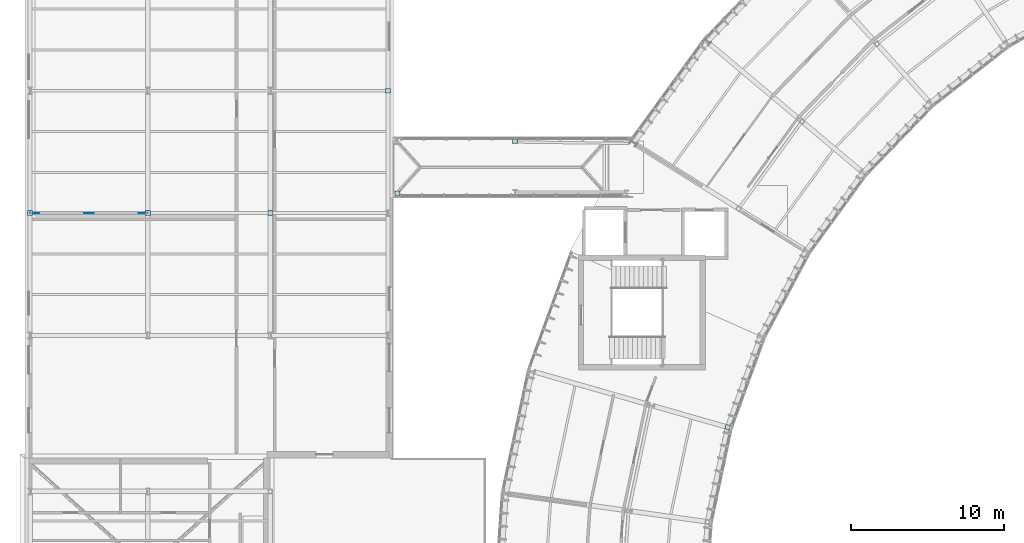
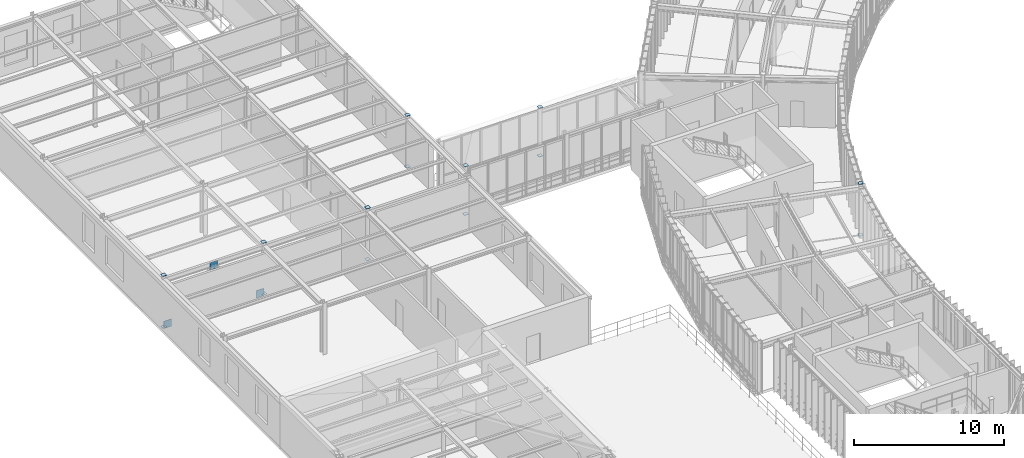
# One storey, part 32 of 52: 17 plates.
"""IFC4 building model written with IfcOpenShell, lengths in metres."""

import ifcopenshell
import ifcopenshell.guid

model = None  # the IFC model being written
_history = None  # IfcOwnerHistory: only IFC2X3 demands one
_inside = {}  # id of a spatial element -> (the spatial element, [elements in it])
_under = {}  # id of a project, library or spatial element -> (it, [spatial elements below it])
_declared = {}  # id of a project -> (the project, [libraries it declares])
_typed = {}  # id of a type object -> (the type object, [elements of that type])
_made_of = {}  # id of a material, layer set ... -> (it, [elements and type objects made of it])


def new_model(schema):
    """Start an empty IFC model of exactly this schema.

    Asked for "IFC4X3", IfcOpenShell would pick the latest addendum, in which some entities
    have other attributes; the version numbers below select the first issue.
    IFC2X3 requires an IfcOwnerHistory on every rooted entity: one is made here for all.
    """
    global model, _history
    if schema == "IFC4X3":
        model = ifcopenshell.file(schema_version=(4, 3, 0, 0))
    else:
        model = ifcopenshell.file(schema=schema)
    _inside.clear()
    _under.clear()
    _declared.clear()
    _typed.clear()
    _made_of.clear()
    _history = None
    if model.schema == "IFC2X3":
        org = make("IfcOrganization", Name="unknown")
        user = make(
            "IfcPersonAndOrganization",
            ThePerson=make("IfcPerson", FamilyName="unknown"),
            TheOrganization=org,
        )
        app = make(
            "IfcApplication",
            ApplicationDeveloper=org,
            Version="unknown",
            ApplicationFullName="unknown",
            ApplicationIdentifier="unknown",
        )
        _history = make(
            "IfcOwnerHistory",
            OwningUser=user,
            OwningApplication=app,
            ChangeAction="ADDED",
            CreationDate=0,
        )
    return model


def make(cls, **values):
    """One entity of the class cls with the attributes given. An attribute that is None is left unset."""
    return model.create_entity(
        cls, **{name: value for name, value in values.items() if value is not None}
    )


def rooted(cls, **values):
    """An entity with a GlobalId (a new one), such as an element, a storey or a relation."""
    return make(cls, GlobalId=ifcopenshell.guid.new(), OwnerHistory=_history, **values)


def si_unit(unit_type, name, prefix=None):
    """IfcSIUnit, for example si_unit("LENGTHUNIT", "METRE", prefix="MILLI")."""
    return make("IfcSIUnit", UnitType=unit_type, Prefix=prefix, Name=name)


def assignment(units):
    """IfcUnitAssignment: the units of a project."""
    return None if units is None else make("IfcUnitAssignment", Units=units)


def point(xyz):
    """IfcCartesianPoint."""
    return None if xyz is None else make("IfcCartesianPoint", Coordinates=xyz)


def direction(xyz):
    """IfcDirection."""
    return None if xyz is None else make("IfcDirection", DirectionRatios=xyz)


def frame(location, z_axis=None, x_axis=None):
    """IfcAxis2Placement3D, a coordinate frame: its origin and axes. An axis left out is left unset."""
    return make(
        "IfcAxis2Placement3D",
        Location=point(location),
        Axis=direction(z_axis),
        RefDirection=direction(x_axis),
    )


def frame_2d(location, x_axis=None):
    """IfcAxis2Placement2D, a coordinate frame in the plane: its origin and x axis."""
    return make(
        "IfcAxis2Placement2D", Location=point(location), RefDirection=direction(x_axis)
    )


def origin():
    """The frame at (0, 0, 0) with its axes left unset."""
    return frame((0.0, 0.0, 0.0))


def origin_2d():
    """The frame at (0, 0) in the plane with its x axis left unset."""
    return frame_2d((0.0, 0.0))


def place(relative_to, where):
    """IfcLocalPlacement: puts the frame where relative to a parent placement (None: the world)."""
    return make(
        "IfcLocalPlacement", PlacementRelTo=relative_to, RelativePlacement=where
    )


def context(
    kind, dimensions, precision=None, world=None, true_north=None, identifier=None
):
    """IfcGeometricRepresentationContext, for example the 3D "Model" context."""
    return make(
        "IfcGeometricRepresentationContext",
        ContextIdentifier=identifier,
        ContextType=kind,
        CoordinateSpaceDimension=dimensions,
        Precision=precision,
        WorldCoordinateSystem=world,
        TrueNorth=true_north,
    )


def subcontext(parent, identifier, kind, view, scale=None):
    """IfcGeometricRepresentationSubContext, for example "Body" below "Model"."""
    return make(
        "IfcGeometricRepresentationSubContext",
        ContextIdentifier=identifier,
        ContextType=kind,
        ParentContext=parent,
        TargetScale=scale,
        TargetView=view,
    )


def project(units=None, contexts=None):
    """IfcProject with its units and contexts."""
    return rooted(
        "IfcProject",
        Name="project",
        RepresentationContexts=contexts,
        UnitsInContext=assignment(units),
    )


def spatial(cls, under=None, at=None, **own):
    """A site, building, storey or space (cls), placed at a placement, below another one or the project."""
    s = rooted(cls, ObjectPlacement=at, **own)
    if under is not None:
        _under.setdefault(under.id(), (under, []))[1].append(s)
    return s


def profile(cls, at=None, kind="AREA", **sizes):
    """A parametric profile (cls). Its sizes go by their IFC names, for example OverallWidth=200.0."""
    return make(cls, ProfileType=kind, Position=at, **sizes)


def rectangle(**sizes):
    """IfcRectangleProfileDef."""
    return profile("IfcRectangleProfileDef", **sizes)


def extrude(swept, where, along, depth):
    """IfcExtrudedAreaSolid: the profile swept, set in the frame where, extruded along a direction by depth."""
    return make(
        "IfcExtrudedAreaSolid",
        SweptArea=swept,
        Position=where,
        ExtrudedDirection=direction(along),
        Depth=depth,
    )


def shape(context_of_items, identifier, shape_type, items):
    """IfcShapeRepresentation: the items that make up one representation, for example the "Body"."""
    return make(
        "IfcShapeRepresentation",
        ContextOfItems=context_of_items,
        RepresentationIdentifier=identifier,
        RepresentationType=shape_type,
        Items=items,
    )


def material(Name=None, Category=None):
    """IfcMaterial."""
    return make("IfcMaterial", Name=Name, Category=Category)


def layer(
    of_material, thickness, ventilated=None, Name=None, Category=None, Priority=None
):
    """IfcMaterialLayer: one layer of a wall or slab, of a material (None: an air gap)."""
    return make(
        "IfcMaterialLayer",
        Material=of_material,
        LayerThickness=thickness,
        IsVentilated=ventilated,
        Name=Name,
        Category=Category,
        Priority=Priority,
    )


def layer_set(layers, Name=None):
    """IfcMaterialLayerSet."""
    return make("IfcMaterialLayerSet", MaterialLayers=layers, LayerSetName=Name)


def made_of(thing, what):
    """Note that an element or type object is made of a material, layer set ...; save() writes the relation."""
    if what is not None:
        _made_of.setdefault(what.id(), (what, []))[1].append(thing)
    return thing


def type_object(cls, material=None, **own):
    """A type object (cls), such as IfcWallType, which elements share."""
    return made_of(rooted(cls, **own), material)


def element(
    cls,
    number,
    at=None,
    inside=None,
    cuts=None,
    type_object=None,
    material=None,
    context=None,
    identifier="Body",
    shape_type=None,
    held_by="IfcProductDefinitionShape",
    body=None,
    shapes=None,
    **own,
):
    """One element of the class cls, such as IfcWall. Its Tag is "e" and its number.

    at: its placement. inside: the storey or other place that contains it. cuts: it is an
    opening in that element (IfcRelVoidsElement). A single representation is given by context,
    identifier, shape_type and body (its items); several are given by shapes. held_by: the class
    of the entity that holds the representations. save() writes the other relations.
    """
    e = rooted(cls, Tag="e%d" % number, ObjectPlacement=at, **own)
    if body is not None:
        shapes = [shape(context, identifier, shape_type, body)]
    if shapes is not None:
        e.Representation = make(held_by, Representations=shapes)
    if inside is not None:
        _inside.setdefault(inside.id(), (inside, []))[1].append(e)
    if cuts is not None:
        rooted(
            "IfcRelVoidsElement", RelatingBuildingElement=cuts, RelatedOpeningElement=e
        )
    if type_object is not None:
        _typed.setdefault(type_object.id(), (type_object, []))[1].append(e)
    return made_of(e, material)


def aggregate(whole, parts):
    """IfcRelAggregates: a whole, such as a stair, and the parts it consists of."""
    return rooted("IfcRelAggregates", RelatingObject=whole, RelatedObjects=parts)


def save(model, path):
    """Write the relations noted so far, then the file.

    IfcRelAggregates (storeys below a building ...), IfcRelContainedInSpatialStructure (elements
    in a storey), IfcRelDefinesByType, IfcRelAssociatesMaterial and IfcRelDeclares: one each for
    every whole, place, type object, material and project.
    """
    for whole, parts in _under.values():
        aggregate(whole, parts)
    for where, things in _inside.values():
        rooted(
            "IfcRelContainedInSpatialStructure",
            RelatedElements=things,
            RelatingStructure=where,
        )
    for kind, things in _typed.values():
        rooted("IfcRelDefinesByType", RelatedObjects=things, RelatingType=kind)
    for what, things in _made_of.values():
        rooted("IfcRelAssociatesMaterial", RelatedObjects=things, RelatingMaterial=what)
    for by, libraries in _declared.values():
        rooted("IfcRelDeclares", RelatingContext=by, RelatedDefinitions=libraries)
    model.write(path)


model = new_model("IFC4")

# Units and contexts
model_context = context("Model", 3, precision=1e-05, world=origin(), true_north=direction((0.0, 1.0)))
body_context = subcontext(model_context, "Body", "Model", "MODEL_VIEW")
ifc_project = project(units=[si_unit("LENGTHUNIT", "METRE"), si_unit("AREAUNIT", "SQUARE_METRE"), si_unit("VOLUMEUNIT", "CUBIC_METRE"), si_unit("PLANEANGLEUNIT", "RADIAN"), si_unit("MASSUNIT", "GRAM", prefix="KILO"), si_unit("THERMODYNAMICTEMPERATUREUNIT", "KELVIN"), si_unit("POWERUNIT", "WATT")], contexts=[model_context])

# Site, building, storey
site_placement = place(None, origin())
site = spatial("IfcSite", under=ifc_project, at=site_placement, CompositionType="ELEMENT")
building_placement = place(site_placement, origin())
building = spatial("IfcBuilding", under=site, at=building_placement, Name="Solvatero Civic Police Headquarters", CompositionType="ELEMENT")
storey_placement = place(building_placement, frame((0.0, 0.0, 13.5)))
storey = spatial("IfcBuildingStorey", under=building, at=storey_placement, Name="L03", CompositionType="ELEMENT", Elevation=13.5)

# Plates
ifc_material = material(Name="Steel S355", Category="steel")
ifc_layer_1 = layer(ifc_material, 0.02001953125)
ifc_layer_set_1 = layer_set([ifc_layer_1], Name="Steel S355")
plate_type_1 = type_object("IfcPlateType", Name="PLT-CAP-20", PredefinedType="SHEET", material=ifc_layer_set_1)
for number, where, z_axis, x_axis, name in (
    (1, (50.40673828125, 38.500244140625, 4.199951171875), (0.0, 0.0, 1.0), (0.275637355817, 0.961261695938, 0.0), "Hollow Section End Cap Plate 0029"),
    (2, (50.40673828125, 38.500244140625, -0.02001953125), (0.0, 0.0, 1.0), (0.275637355817, 0.961261695938, 0.0), "Hollow Section End Cap Plate 0030"),
    (3, (36.5, 57.199951171875, 3.93994140625), (0.0, 0.0, 1.0), (1.0, 0.0, 0.0), "Hollow Section End Cap Plate 0047"),
    (4, (36.5, 57.199951171875, -0.02001953125), (0.0, 0.0, 1.0), (1.0, 0.0, 0.0), "Hollow Section End Cap Plate 0048"),
    (5, (28.800048828125, 53.800048828125, 3.93994140625), (0.0, 0.0, 1.0), (1.0, 0.0, 0.0), "Hollow Section End Cap Plate 0051"),
    (6, (28.800048828125, 53.800048828125, -0.02001953125), (0.0, 0.0, 1.0), (1.0, 0.0, 0.0), "Hollow Section End Cap Plate 0052"),
    (7, (4.800048828125, 52.5, 4.199951171875), (0.0, 0.0, 1.0), (1.0, 0.0, 0.0), "Hollow Section End Cap Plate 0109"),
    (8, (4.800048828125, 52.5, -0.02001953125), (0.0, 0.0, 1.0), (1.0, 0.0, 0.0), "Hollow Section End Cap Plate 0110"),
    (9, (12.5, 52.5, 4.199951171875), (0.0, 0.0, 1.0), (1.0, 0.0, 0.0), "Hollow Section End Cap Plate 0115"),
    (10, (12.5, 52.5, -0.02001953125), (0.0, 0.0, 1.0), (1.0, 0.0, 0.0), "Hollow Section End Cap Plate 0116"),
    (11, (20.5, 52.5, 4.199951171875), (0.0, 0.0, 1.0), (1.0, 0.0, 0.0), "Hollow Section End Cap Plate 0123"),
    (12, (20.5, 52.5, -0.02001953125), (0.0, 0.0, 1.0), (1.0, 0.0, 0.0), "Hollow Section End Cap Plate 0124"),
    (13, (28.199951171875, 60.5, 4.199951171875), (0.0, 0.0, 1.0), (1.0, 0.0, 0.0), "Hollow Section End Cap Plate 0129"),
    (14, (28.199951171875, 60.5, -0.02001953125), (0.0, 0.0, 1.0), (1.0, 0.0, 0.0), "Hollow Section End Cap Plate 0130"),
):
    element("IfcPlate", number, at=place(storey_placement, frame(where, z_axis=z_axis, x_axis=x_axis)), inside=storey, type_object=plate_type_1, Name=name, PredefinedType="SHEET", context=body_context, shape_type="SweptSolid", body=[
        extrude(rectangle(XDim=0.31298828125, YDim=0.31298828125, at=origin_2d()), origin(), (0.0, 0.0, 1.0), 0.02001953125),
    ])
ifc_layer_2 = layer(ifc_material, 0.030029296875)
ifc_layer_set_2 = layer_set([ifc_layer_2], Name="Steel S355")
plate_type_2 = type_object("IfcPlateType", Name="PLT-GUS-30", PredefinedType="SHEET", material=ifc_layer_set_2)
for number, where, z_axis, x_axis, name in (
    (15, (8.64990234375, 52.5, 3.349853515625), (0.0, 0.0, 1.0), (1.0, 0.0, 0.0), "Gusset Plate BR-V6-INT1 APX L03"),
    (16, (5.10009765625, 52.5, -0.179931640625), (0.0, 0.0, 1.0), (1.0, 0.0, 0.0), "Gusset Plate BR-V6-INT1 BSL L03"),
    (17, (12.199951171875, 52.5, -0.179931640625), (0.0, 0.0, 1.0), (1.0, 0.0, 0.0), "Gusset Plate BR-V6-INT1 BSR L03"),
):
    element("IfcPlate", number, at=place(storey_placement, frame(where, z_axis=z_axis, x_axis=x_axis)), inside=storey, type_object=plate_type_2, Name=name, PredefinedType="SHEET", context=body_context, shape_type="SweptSolid", body=[
        extrude(rectangle(XDim=0.60009765625, YDim=0.030029296875, at=origin_2d()), origin(), (0.0, 0.0, 1.0), 0.60009765625),
    ])

save(model, "model.ifc")
